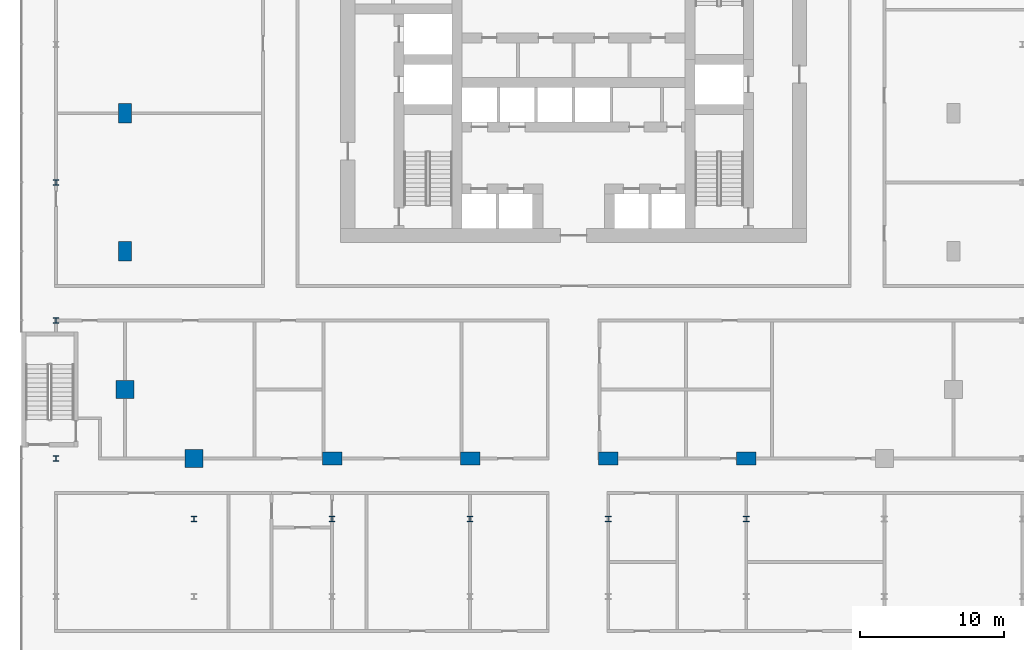
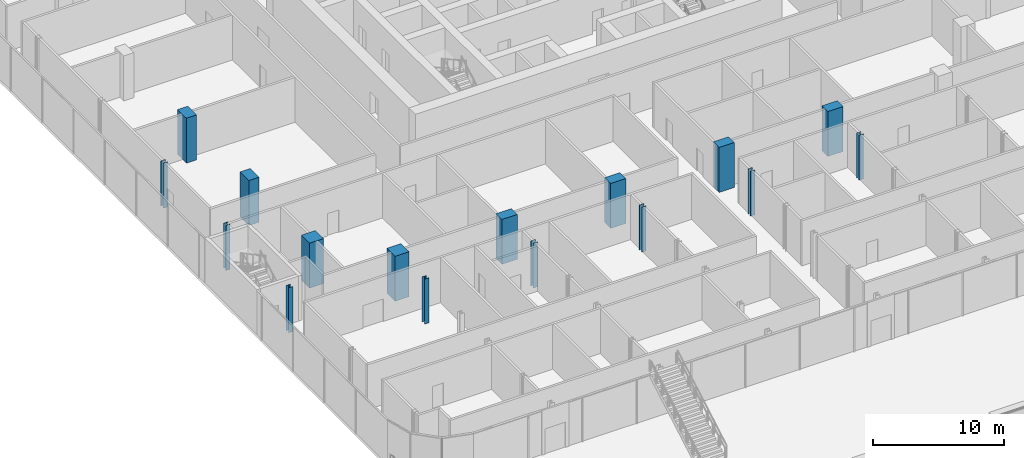
# One storey, part 2 of 43: 16 columns.
"""IFC4 building model written with IfcOpenShell, lengths in metres."""

from ifc_helpers import new_model, si_unit, direction, frame, origin, origin_2d, place, context, subcontext, project, spatial, rectangle, i_section, extrude, material, material_profile, profile_set, type_object, element, save


model = new_model("IFC4")

# Units and contexts
model_context = context("Model", 3, precision=1e-05, world=origin(), true_north=direction((0.0, 1.0)))
body_context = subcontext(model_context, "Body", "Model", "MODEL_VIEW")
ifc_project = project(units=[si_unit("LENGTHUNIT", "METRE"), si_unit("AREAUNIT", "SQUARE_METRE"), si_unit("VOLUMEUNIT", "CUBIC_METRE"), si_unit("PLANEANGLEUNIT", "RADIAN"), si_unit("MASSUNIT", "GRAM", prefix="KILO")], contexts=[model_context])

# Site, building, storey
site_placement = place(None, origin())
site = spatial("IfcSite", under=ifc_project, at=site_placement, CompositionType="ELEMENT")
building_placement = place(site_placement, origin())
building = spatial("IfcBuilding", under=site, at=building_placement, Name="Madar Terraces", CompositionType="ELEMENT")
storey_placement = place(building_placement, frame((0.0, 0.0, 10.5)))
storey = spatial("IfcBuildingStorey", under=building, at=storey_placement, Name="L02", CompositionType="ELEMENT", Elevation=10.5)

# Columns
ifc_material_1 = material(Name="Concrete C80/95", Category="concrete")
ifc_material_profile_1 = material_profile(ifc_material_1, rectangle(XDim=1.35009765625, YDim=0.89990234375, at=origin_2d()), Name="CC1 RC 1350x900")
ifc_profile_set_1 = profile_set([ifc_material_profile_1], Name="Concrete C80/95")
column_type_1 = type_object("IfcColumnType", Name="CC1 RC 1350x900", PredefinedType="COLUMN", material=ifc_profile_set_1)
for number, where, z_axis, x_axis, name in (
    (1, (14.39990234375, 0.0, 0.0), (0.0, 0.0, 1.0), (1.0, 0.0, 0.0), "Perimeter column S2"),
    (2, (24.0, 0.0, 0.0), (0.0, 0.0, 1.0), (1.0, 0.0, 0.0), "Perimeter column S3"),
    (3, (33.60009765625, 0.0, 0.0), (0.0, 0.0, 1.0), (1.0, 0.0, 0.0), "Perimeter column S4"),
    (4, (43.199951171875, 0.0, 0.0), (0.0, 0.0, 1.0), (1.0, 0.0, 0.0), "Perimeter column S5"),
    (5, (0.0, 24.0, 0.0), (0.0, 0.0, 1.0), (0.0, 1.0, 0.0), "Perimeter column W3"),
    (6, (0.0, 14.39990234375, 0.0), (0.0, 0.0, 1.0), (0.0, 1.0, 0.0), "Perimeter column W4"),
):
    element("IfcColumn", number, at=place(storey_placement, frame(where, z_axis=z_axis, x_axis=x_axis)), inside=storey, type_object=column_type_1, Name=name, PredefinedType="COLUMN", context=body_context, shape_type="SweptSolid", body=[
        extrude(rectangle(XDim=1.35009765625, YDim=0.89990234375, at=origin_2d()), origin(), (0.0, 0.0, 1.0), 4.199951171875),
    ])
ifc_material_2 = material(Name="Concrete C80/95", Category="concrete")
ifc_material_profile_2 = material_profile(ifc_material_2, rectangle(XDim=1.25, YDim=1.25, at=origin_2d()), Name="KC1 RC 1250x1250")
ifc_profile_set_2 = profile_set([ifc_material_profile_2], Name="Concrete C80/95")
column_type_2 = type_object("IfcColumnType", Name="KC1 RC 1250x1250", PredefinedType="COLUMN", material=ifc_profile_set_2)
for number, where, z_axis, x_axis, name in (
    (7, (4.800048828125, 0.0, 0.0), (0.0, 0.0, 1.0), (1.0, 0.0, 0.0), "Perimeter column S1"),
    (8, (0.0, 4.800048828125, 0.0), (0.0, 0.0, 1.0), (1.0, 0.0, 0.0), "Perimeter column W5"),
):
    element("IfcColumn", number, at=place(storey_placement, frame(where, z_axis=z_axis, x_axis=x_axis)), inside=storey, type_object=column_type_2, Name=name, PredefinedType="COLUMN", context=body_context, shape_type="SweptSolid", body=[
        extrude(rectangle(XDim=1.25, YDim=1.25, at=origin_2d()), origin(), (0.0, 0.0, 1.0), 4.199951171875),
    ])
ifc_material_3 = material(Name="Steel ASTM A992 Grade 50", Category="steel")
ifc_material_profile_3 = material_profile(ifc_material_3, i_section(OverallWidth=0.396240234375, OverallDepth=0.381103515625, WebThickness=0.01904296875, FlangeThickness=0.0302734375, at=origin_2d()), Name="W14x159")
ifc_profile_set_3 = profile_set([ifc_material_profile_3], Name="Steel ASTM A992 Grade 50")
column_type_3 = type_object("IfcColumnType", Name="PC2 W14x159", PredefinedType="COLUMN", material=ifc_profile_set_3)
for number, where, z_axis, x_axis, name in (
    (9, (-4.800048828125, 0.0, 0.0), (0.0, 0.0, 1.0), (1.0, 0.0, 0.0), "Podium column PC2"),
    (10, (-4.800048828125, 9.60009765625, 0.0), (0.0, 0.0, 1.0), (1.0, 0.0, 0.0), "Podium column PC2"),
    (11, (-4.800048828125, 19.199951171875, 0.0), (0.0, 0.0, 1.0), (1.0, 0.0, 0.0), "Podium column PC2"),
    (12, (4.800048828125, -4.199951171875, 0.0), (0.0, 0.0, 1.0), (1.0, 0.0, 0.0), "Podium column PC2"),
    (13, (14.39990234375, -4.199951171875, 0.0), (0.0, 0.0, 1.0), (1.0, 0.0, 0.0), "Podium column PC2"),
    (14, (24.0, -4.199951171875, 0.0), (0.0, 0.0, 1.0), (1.0, 0.0, 0.0), "Podium column PC2"),
    (15, (33.60009765625, -4.199951171875, 0.0), (0.0, 0.0, 1.0), (1.0, 0.0, 0.0), "Podium column PC2"),
    (16, (43.199951171875, -4.199951171875, 0.0), (0.0, 0.0, 1.0), (1.0, 0.0, 0.0), "Podium column PC2"),
):
    element("IfcColumn", number, at=place(storey_placement, frame(where, z_axis=z_axis, x_axis=x_axis)), inside=storey, type_object=column_type_3, Name=name, PredefinedType="COLUMN", context=body_context, shape_type="SweptSolid", body=[
        extrude(i_section(OverallWidth=0.396240234375, OverallDepth=0.381103515625, WebThickness=0.01904296875, FlangeThickness=0.0302734375, at=origin_2d()), origin(), (0.0, 0.0, 1.0), 4.199951171875),
    ])

save(model, "model.ifc")
